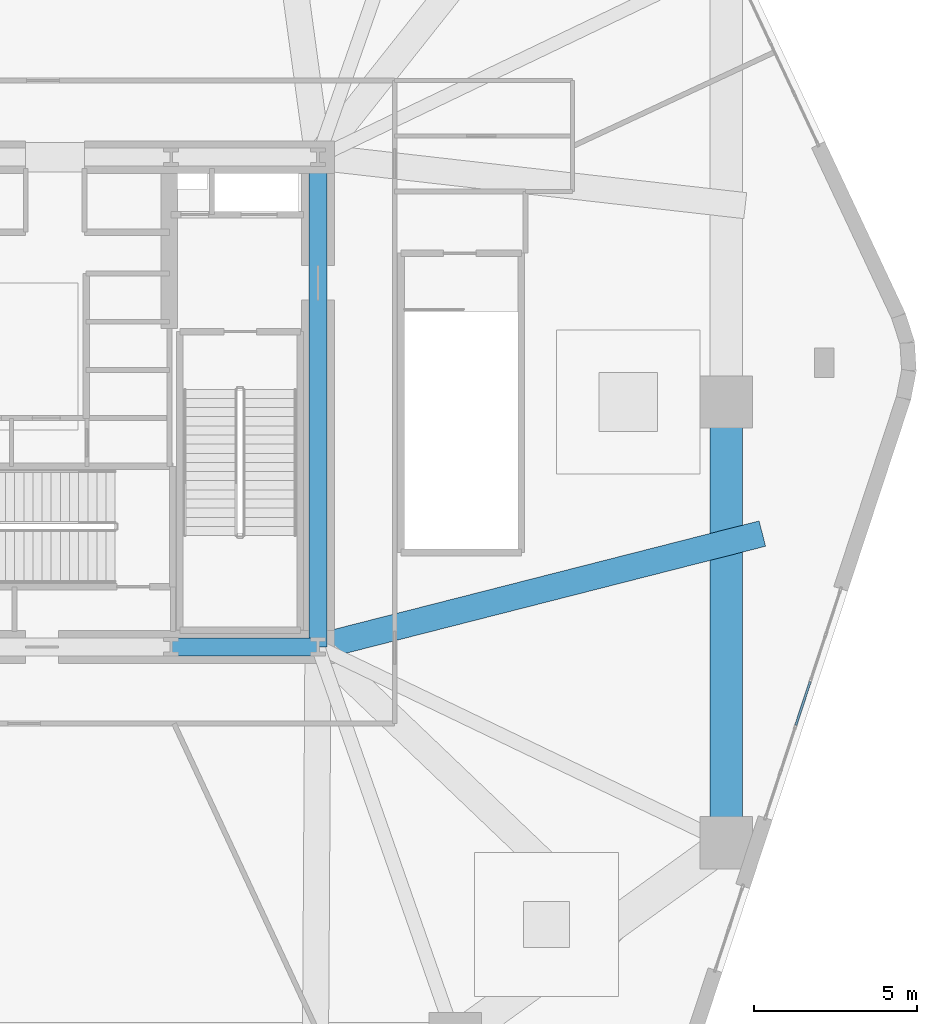
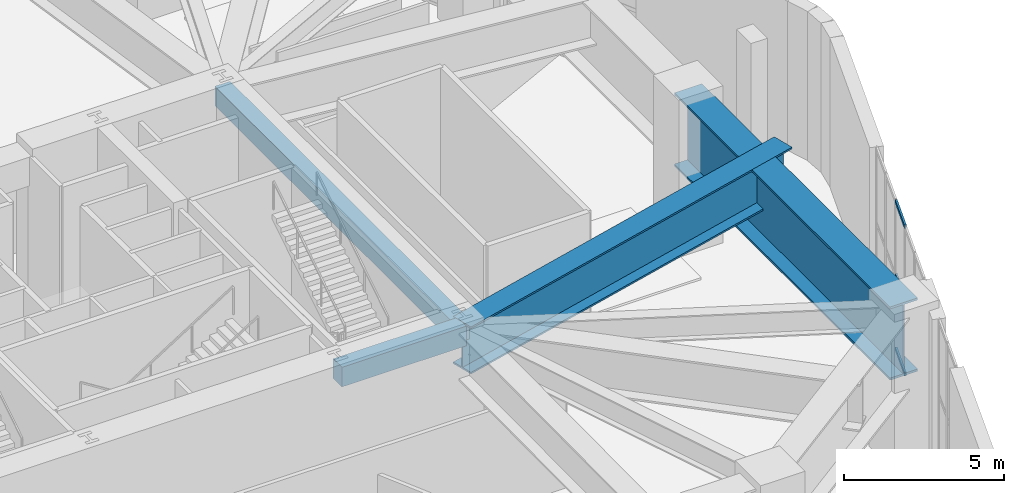
# One storey, part 3 of 14: 4 beams, 3 members, 1 element without a shape of its own.
"""IFC4 building model written with IfcOpenShell, lengths in metres."""

from ifc_helpers import new_model, si_unit, direction, frame, origin, origin_2d, place, context, subcontext, project, spatial, rectangle, hollow_rectangle, i_section, extrude, material, layer, layer_set, material_profile, profile_set, type_object, element, aggregate, save


model = new_model("IFC4")

# Units and contexts
model_context = context("Model", 3, precision=1e-05, world=origin(), true_north=direction((0.0, 1.0)))
body_context = subcontext(model_context, "Body", "Model", "MODEL_VIEW")
ifc_project = project(units=[si_unit("LENGTHUNIT", "METRE"), si_unit("AREAUNIT", "SQUARE_METRE"), si_unit("VOLUMEUNIT", "CUBIC_METRE"), si_unit("PLANEANGLEUNIT", "RADIAN"), si_unit("MASSUNIT", "GRAM", prefix="KILO")], contexts=[model_context])

# Site, building, storey
site_placement = place(None, origin())
site = spatial("IfcSite", under=ifc_project, at=site_placement, CompositionType="ELEMENT")
building_placement = place(site_placement, origin())
building = spatial("IfcBuilding", under=site, at=building_placement, Name="Kilnhurst Terrace Hotel", CompositionType="ELEMENT")
storey_placement = place(building_placement, frame((0.0, 0.0, 28.199951171875)))
storey = spatial("IfcBuildingStorey", under=building, at=storey_placement, Name="L05", CompositionType="ELEMENT", Elevation=28.199951171875)

# Beams
ifc_material_1 = material(Name="Concrete C50/60", Category="concrete")
ifc_material_profile_1 = material_profile(ifc_material_1, rectangle(XDim=0.550048828125, YDim=0.75, at=origin_2d()), Name="RC550X750")
ifc_profile_set_1 = profile_set([ifc_material_profile_1], Name="Concrete C50/60")
beam_type_1 = type_object("IfcBeamType", Name="BM-SPN-550X750", PredefinedType="SPANDREL", material=ifc_profile_set_1)
beam_1_placement = place(storey_placement, frame((4.5, -7.5, 5.324951171875), z_axis=(1.0, 0.0, 0.0), x_axis=(0.0, 1.0, 0.0)))
element("IfcBeam", 1, at=beam_1_placement, inside=storey, type_object=beam_type_1, Name="L05 Core Tie Beam CC-SC2 to CC-SE", PredefinedType="SPANDREL", context=body_context, shape_type="SweptSolid", body=[
    extrude(rectangle(XDim=0.550048828125, YDim=0.75, at=origin_2d()), origin(), (0.0, 0.0, 1.0), 4.5),
])
beam_2_placement = place(storey_placement, frame((9.0, -7.5, 5.324951171875), z_axis=(0.0, 1.0, 0.0), x_axis=(-1.0, 0.0, 0.0)))
element("IfcBeam", 2, at=beam_2_placement, inside=storey, type_object=beam_type_1, Name="L05 Core Tie Beam CC-SE to CC-NE", PredefinedType="SPANDREL", context=body_context, shape_type="SweptSolid", body=[
    extrude(rectangle(XDim=0.550048828125, YDim=0.75, at=origin_2d()), origin(), (0.0, 0.0, 1.0), 15.0),
])

# Curtain wall, members
ifc_material_2 = material(Name="Anodized Aluminium Alloy 6063-T6 and Low-E Glass", Category="aluminium")
ifc_layer = layer(ifc_material_2, 0.219970703125, Name="Anodized Aluminium Alloy 6063-T6 and Low-E Glass")
ifc_layer_set = layer_set([ifc_layer], Name="Anodized Aluminium Alloy 6063-T6 and Low-E Glass")
curtain_wall_type = type_object("IfcCurtainWallType", Name="CW-POD-TERR", PredefinedType="NOTDEFINED", material=ifc_layer_set)
curtain_wall_placement = place(storey_placement, origin())
curtain_wall = element("IfcCurtainWall", 3, at=curtain_wall_placement, inside=storey, type_object=curtain_wall_type, Name="L05 Curtain Wall CW-L05-F2-2", PredefinedType="NOTDEFINED")
ifc_material_3 = material(Name="Extruded Aluminium Alloy 6063-T6", Category="aluminium")
ifc_material_profile_2 = material_profile(ifc_material_3, hollow_rectangle(XDim=0.070068359375, YDim=0.135009765625, WallThickness=0.00390625, at=origin_2d()), Name="CWT70X135")
ifc_profile_set_2 = profile_set([ifc_material_profile_2], Name="Extruded Aluminium Alloy 6063-T6")
member_type = type_object("IfcMemberType", Name="MEM-CWT70X135", PredefinedType="USERDEFINED", material=ifc_profile_set_2)
member_1_placement = place(storey_placement, frame((23.6337890625, -9.8974609375, 0.03515625), z_axis=(0.313050372483, 0.949736523615, 0.0), x_axis=(-0.949736523615, 0.313050372483, 0.0)))
member_1 = element("IfcMember", 4, at=member_1_placement, type_object=member_type, Name="CWT-2 transom 3.1", ObjectType="TRANSOM", PredefinedType="USERDEFINED", context=body_context, shape_type="SweptSolid", body=[
    extrude(hollow_rectangle(XDim=0.070068359375, YDim=0.135009765625, WallThickness=0.00390625, at=origin_2d()), origin(), (0.0, 0.0, 1.0), 1.406982421875),
])
member_2_placement = place(storey_placement, frame((23.6337890625, -9.8974609375, 2.85009765625), z_axis=(0.313050372483, 0.949736523615, 0.0), x_axis=(-0.949736523615, 0.313050372483, 0.0)))
member_2 = element("IfcMember", 5, at=member_2_placement, type_object=member_type, Name="CWT-2 transom 3.2", ObjectType="TRANSOM", PredefinedType="USERDEFINED", context=body_context, shape_type="SweptSolid", body=[
    extrude(hollow_rectangle(XDim=0.070068359375, YDim=0.135009765625, WallThickness=0.00390625, at=origin_2d()), origin(), (0.0, 0.0, 1.0), 1.406982421875),
])
member_3_placement = place(storey_placement, frame((23.6337890625, -9.8974609375, 5.6650390625), z_axis=(0.313050372483, 0.949736523615, 0.0), x_axis=(-0.949736523615, 0.313050372483, 0.0)))
member_3 = element("IfcMember", 6, at=member_3_placement, type_object=member_type, Name="CWT-2 transom 3.3", ObjectType="TRANSOM", PredefinedType="USERDEFINED", context=body_context, shape_type="SweptSolid", body=[
    extrude(hollow_rectangle(XDim=0.070068359375, YDim=0.135009765625, WallThickness=0.00390625, at=origin_2d()), origin(), (0.0, 0.0, 1.0), 1.406982421875),
])
aggregate(curtain_wall, [member_1, member_2, member_3])

# Beams
ifc_material_4 = material(Name="Steel ASTM A572 Grade 50", Category="steel")
ifc_material_profile_3 = material_profile(ifc_material_4, i_section(OverallWidth=0.800048828125, OverallDepth=1.800048828125, WebThickness=0.0400390625, FlangeThickness=0.06494140625, at=origin_2d()), Name="PG1800X800")
ifc_profile_set_3 = profile_set([ifc_material_profile_3], Name="Steel ASTM A572 Grade 50")
beam_type_2 = type_object("IfcBeamType", Name="TG-STEP-1800", PredefinedType="USERDEFINED", material=ifc_profile_set_3)
beam_3_placement = place(storey_placement, frame((9.0, -7.5, 4.800048828125), z_axis=(0.968980179812, 0.247138445273, 0.0), x_axis=(-0.247138445273, 0.968980179812, 0.0)))
element("IfcBeam", 7, at=beam_3_placement, inside=storey, type_object=beam_type_2, Name="L05 Radial Through-Column Transfer Girder 4", ObjectType="GIRDER", PredefinedType="USERDEFINED", context=body_context, shape_type="SweptSolid", body=[
    extrude(i_section(OverallWidth=0.800048828125, OverallDepth=1.800048828125, WebThickness=0.0400390625, FlangeThickness=0.06494140625, at=origin_2d()), origin(), (0.0, 0.0, 1.0), 14.04443359375),
])
ifc_material_profile_4 = material_profile(ifc_material_4, i_section(OverallWidth=1.0, OverallDepth=2.800048828125, WebThickness=0.050048828125, FlangeThickness=0.080078125, at=origin_2d()), Name="PG2800X1000")
ifc_profile_set_4 = profile_set([ifc_material_profile_4], Name="Steel ASTM A572 Grade 50")
beam_type_3 = type_object("IfcBeamType", Name="TG-TWR-2800", PredefinedType="USERDEFINED", material=ifc_profile_set_4)
beam_4_placement = place(storey_placement, frame((21.5, -13.5, 4.300048828125), z_axis=(0.0, 1.0, 0.0), x_axis=(-1.0, 0.0, 0.0)))
element("IfcBeam", 8, at=beam_4_placement, inside=storey, type_object=beam_type_3, Name="L05 Podium Mega-Column Transfer Ring Girder 3", ObjectType="GIRDER", PredefinedType="USERDEFINED", context=body_context, shape_type="SweptSolid", body=[
    extrude(i_section(OverallWidth=1.0, OverallDepth=2.800048828125, WebThickness=0.050048828125, FlangeThickness=0.080078125, at=origin_2d()), origin(), (0.0, 0.0, 1.0), 13.5),
])

save(model, "model.ifc")
